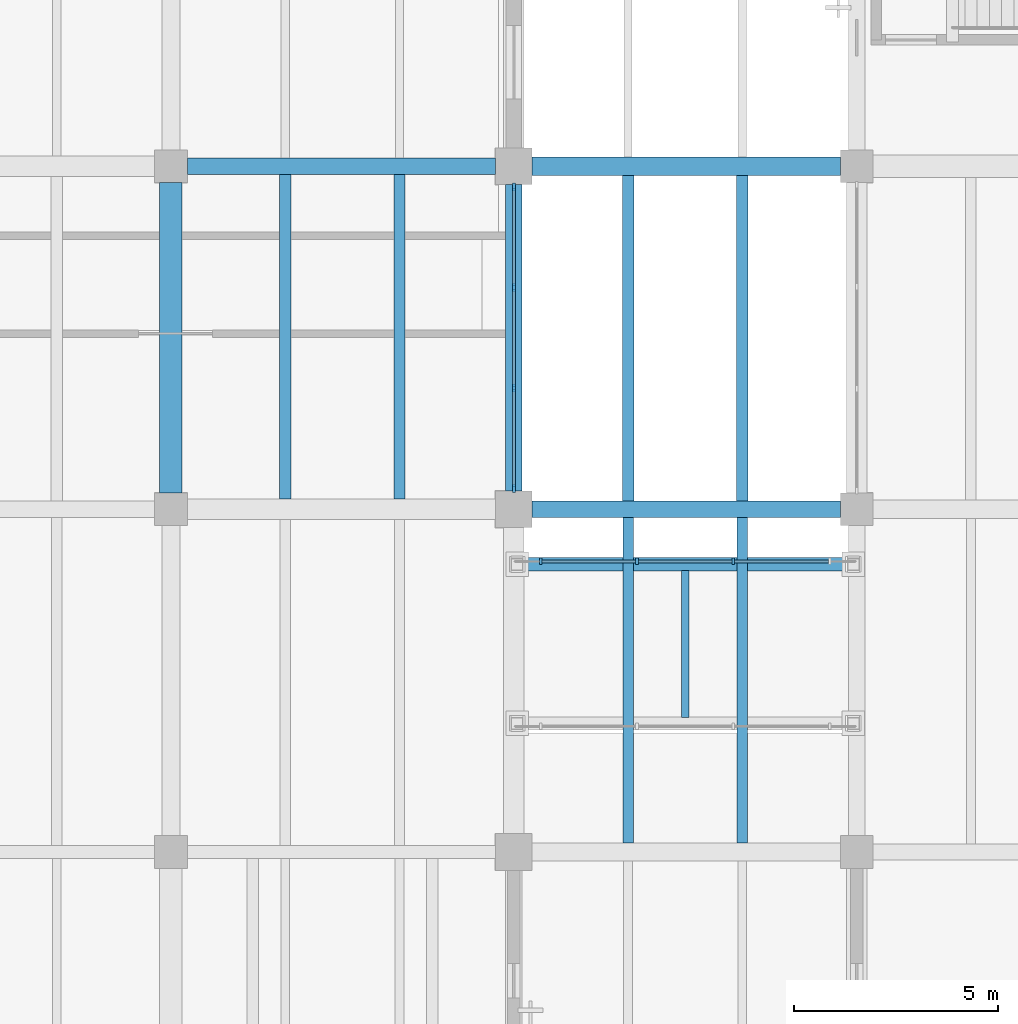
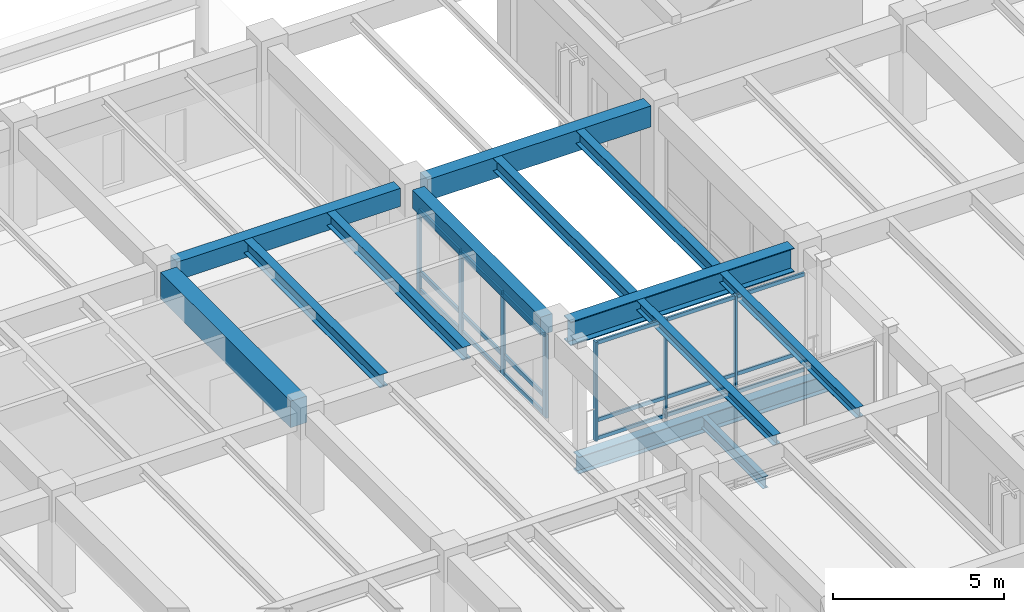
# One storey, part 47 of 135: 25 members, 13 beams, 2 elements without a shape of their own.
"""IFC4 building model written with IfcOpenShell, lengths in metres."""

from ifc_helpers import new_model, si_unit, direction, frame, origin, origin_2d, place, context, subcontext, project, spatial, rectangle, i_section, extrude, material, material_profile, profile_set, type_object, element, aggregate, save


model = new_model("IFC4")

# Units and contexts
model_context = context("Model", 3, precision=1e-05, world=origin(), true_north=direction((0.0, 1.0)))
body_context = subcontext(model_context, "Body", "Model", "MODEL_VIEW")
ifc_project = project(units=[si_unit("LENGTHUNIT", "METRE"), si_unit("AREAUNIT", "SQUARE_METRE"), si_unit("VOLUMEUNIT", "CUBIC_METRE"), si_unit("PLANEANGLEUNIT", "RADIAN"), si_unit("MASSUNIT", "GRAM", prefix="KILO")], contexts=[model_context])

# Site, building, storey
site_placement = place(None, origin())
site = spatial("IfcSite", under=ifc_project, at=site_placement, CompositionType="ELEMENT")
building_placement = place(site_placement, origin())
building = spatial("IfcBuilding", under=site, at=building_placement, Name="Cumbredor Promenade Congress Hotel", CompositionType="ELEMENT")
storey_placement = place(building_placement, origin())
storey = spatial("IfcBuildingStorey", under=building, at=storey_placement, Name="L00", CompositionType="ELEMENT", Elevation=0.0)

# Beams
ifc_material_1 = material(Name="Concrete C40/50", Category="concrete")
ifc_material_profile_1 = material_profile(ifc_material_1, rectangle(XDim=0.39990234375, YDim=0.64990234375, at=origin_2d()), Name="RC BEAM 400x650")
ifc_profile_set_1 = profile_set([ifc_material_profile_1], Name="Concrete C40/50")
beam_type_1 = type_object("IfcBeamType", Name="BM-RC-400x650", PredefinedType="BEAM", material=ifc_profile_set_1)
beam_1_placement = place(storey_placement, frame((76.0, 109.199951171875, 3.31494140625), z_axis=(1.0, 0.0, 0.0), x_axis=(0.0, 1.0, 0.0)))
element("IfcBeam", 1, at=beam_1_placement, inside=storey, type_object=beam_type_1, Name="L01 X-Grid Beam 146", PredefinedType="BEAM", context=body_context, shape_type="SweptSolid", body=[
    extrude(rectangle(XDim=0.39990234375, YDim=0.64990234375, at=origin_2d()), origin(), (0.0, 0.0, 1.0), 7.550048828125),
])
beam_2_placement = place(storey_placement, frame((84.0, 101.25, 3.31494140625), z_axis=(0.0, 1.0, 0.0), x_axis=(-1.0, 0.0, 0.0)))
element("IfcBeam", 2, at=beam_2_placement, inside=storey, type_object=beam_type_1, Name="L01 Y-Grid Beam 158", PredefinedType="BEAM", context=body_context, shape_type="SweptSolid", body=[
    extrude(rectangle(XDim=0.39990234375, YDim=0.64990234375, at=origin_2d()), origin(), (0.0, 0.0, 1.0), 7.5),
])
ifc_material_profile_2 = material_profile(ifc_material_1, rectangle(XDim=0.449951171875, YDim=0.75, at=origin_2d()), Name="RC BEAM 450x750")
ifc_profile_set_2 = profile_set([ifc_material_profile_2], Name="Concrete C40/50")
beam_type_2 = type_object("IfcBeamType", Name="BM-RC-450x750", PredefinedType="BEAM", material=ifc_profile_set_2)
beam_3_placement = place(storey_placement, frame((84.449951171875, 109.199951171875, 3.264892578125), z_axis=(1.0, 0.0, 0.0), x_axis=(0.0, 1.0, 0.0)))
element("IfcBeam", 3, at=beam_3_placement, inside=storey, type_object=beam_type_2, Name="L01 X-Grid Beam 159", PredefinedType="BEAM", context=body_context, shape_type="SweptSolid", body=[
    extrude(rectangle(XDim=0.449951171875, YDim=0.75, at=origin_2d()), origin(), (0.0, 0.0, 1.0), 7.550048828125),
])
ifc_material_profile_3 = material_profile(ifc_material_1, rectangle(XDim=0.550048828125, YDim=0.949951171875, at=origin_2d()), Name="RC BEAM 550x950")
ifc_profile_set_3 = profile_set([ifc_material_profile_3], Name="Concrete C40/50")
beam_type_3 = type_object("IfcBeamType", Name="BM-RC-550x950", PredefinedType="BEAM", material=ifc_profile_set_3)
beam_4_placement = place(storey_placement, frame((75.60009765625, 101.199951171875, 3.1650390625), z_axis=(0.0, 1.0, 0.0), x_axis=(-1.0, 0.0, 0.0)))
element("IfcBeam", 4, at=beam_4_placement, inside=storey, type_object=beam_type_3, Name="L01 Y-Grid Beam 145", PredefinedType="BEAM", context=body_context, shape_type="SweptSolid", body=[
    extrude(rectangle(XDim=0.550048828125, YDim=0.949951171875, at=origin_2d()), origin(), (0.0, 0.0, 1.0), 7.60009765625),
])
ifc_material_2 = material(Name="Steel ASTM A992 Grade 50", Category="steel")
ifc_material_profile_4 = material_profile(ifc_material_2, i_section(OverallWidth=0.323974609375, OverallDepth=0.611083984375, WebThickness=0.0126953125, FlangeThickness=0.01904296875, at=origin_2d()), Name="W24X104")
ifc_profile_set_4 = profile_set([ifc_material_profile_4], Name="Steel ASTM A992 Grade 50")
beam_type_4 = type_object("IfcBeamType", Name="BM-W24X104", PredefinedType="BEAM", material=ifc_profile_set_4)
beam_5_placement = place(storey_placement, frame((83.9599609375, 99.449951171875, -0.525390625), z_axis=(1.0, 0.0, 0.0), x_axis=(0.0, 1.0, 0.0)))
element("IfcBeam", 5, at=beam_5_placement, inside=storey, type_object=beam_type_4, Name="L00 North Hotel-to-Forum Glazed Bridge Edge Girder 2", PredefinedType="BEAM", context=body_context, shape_type="SweptSolid", body=[
    extrude(i_section(OverallWidth=0.323974609375, OverallDepth=0.611083984375, WebThickness=0.0126953125, FlangeThickness=0.01904296875, at=origin_2d()), origin(), (0.0, 0.0, 1.0), 8.47998046875),
])
ifc_material_profile_5 = material_profile(ifc_material_2, i_section(OverallWidth=0.39990234375, OverallDepth=0.85498046875, WebThickness=0.018310546875, FlangeThickness=0.029296875, at=origin_2d()), Name="W33X201")
ifc_profile_set_5 = profile_set([ifc_material_profile_5], Name="Steel ASTM A992 Grade 50")
beam_type_5 = type_object("IfcBeamType", Name="BM-W33X201", PredefinedType="BEAM", material=ifc_profile_set_5)
beam_6_placement = place(storey_placement, frame((84.449951171875, 100.800048828125, 3.21240234375), z_axis=(1.0, 0.0, 0.0), x_axis=(0.0, 1.0, 0.0)))
element("IfcBeam", 6, at=beam_6_placement, inside=storey, type_object=beam_type_5, Name="L01 X-Grid Beam 157", PredefinedType="BEAM", context=body_context, shape_type="SweptSolid", body=[
    extrude(i_section(OverallWidth=0.39990234375, OverallDepth=0.85498046875, WebThickness=0.018310546875, FlangeThickness=0.029296875, at=origin_2d()), origin(), (0.0, 0.0, 1.0), 7.550048828125),
])

# Curtain wall, members
ifc_material_3 = material(Name="Thermally broken anodized aluminium and low-E glass", Category="aluminium")
curtain_wall_type_1 = type_object("IfcCurtainWallType", Name="Unitised Bridge Glazing Screen CW-05", PredefinedType="NOTDEFINED", material=ifc_material_3)
curtain_wall_1_placement = place(storey_placement, origin())
curtain_wall_1 = element("IfcCurtainWall", 7, at=curtain_wall_1_placement, inside=storey, type_object=curtain_wall_type_1, Name="L00 North Hotel-to-Forum Glazed Bridge North Glazing Screen", PredefinedType="NOTDEFINED")
ifc_material_4 = material(Name="Thermally broken anodized aluminium", Category="aluminium")
ifc_material_profile_6 = material_profile(ifc_material_4, rectangle(XDim=0.06494140625, YDim=0.159912109375, at=origin_2d()), Name="ALU MULLION 65x160")
ifc_profile_set_6 = profile_set([ifc_material_profile_6], Name="Thermally broken anodized aluminium")
member_type_1 = type_object("IfcMemberType", Name="Curtain Wall Mullion ML-01", PredefinedType="MULLION", material=ifc_profile_set_6)
member_1_placement = place(storey_placement, frame((84.659912109375, 99.52001953125, -0.008056640625), z_axis=(0.0, 0.0, 1.0), x_axis=(1.0, 0.0, 0.0)))
member_1 = element("IfcMember", 8, at=member_1_placement, type_object=member_type_1, Name="L00 North Hotel-to-Forum Glazed Bridge North Glazing Screen Mullion 1", PredefinedType="MULLION", context=body_context, shape_type="SweptSolid", body=[
    extrude(rectangle(XDim=0.06494140625, YDim=0.159912109375, at=origin_2d()), origin(), (0.0, 0.0, 1.0), 3.55615234375),
])
member_2_placement = place(storey_placement, frame((87.02001953125, 99.52001953125, -0.008056640625), z_axis=(0.0, 0.0, 1.0), x_axis=(1.0, 0.0, 0.0)))
member_2 = element("IfcMember", 9, at=member_2_placement, type_object=member_type_1, Name="L00 North Hotel-to-Forum Glazed Bridge North Glazing Screen Mullion 2", PredefinedType="MULLION", context=body_context, shape_type="SweptSolid", body=[
    extrude(rectangle(XDim=0.06494140625, YDim=0.159912109375, at=origin_2d()), origin(), (0.0, 0.0, 1.0), 3.55615234375),
])
member_3_placement = place(storey_placement, frame((89.3798828125, 99.52001953125, -0.008056640625), z_axis=(0.0, 0.0, 1.0), x_axis=(1.0, 0.0, 0.0)))
member_3 = element("IfcMember", 10, at=member_3_placement, type_object=member_type_1, Name="L00 North Hotel-to-Forum Glazed Bridge North Glazing Screen Mullion 3", PredefinedType="MULLION", context=body_context, shape_type="SweptSolid", body=[
    extrude(rectangle(XDim=0.06494140625, YDim=0.159912109375, at=origin_2d()), origin(), (0.0, 0.0, 1.0), 3.55615234375),
])

curtain_wall_type_2 = type_object("IfcCurtainWallType", Name="Unitised Grand Foyer Curtain Wall CW-04", PredefinedType="NOTDEFINED", material=ifc_material_3)
curtain_wall_2_placement = place(storey_placement, origin())
curtain_wall_2 = element("IfcCurtainWall", 11, at=curtain_wall_2_placement, inside=storey, type_object=curtain_wall_type_2, Name="L00 Stepped Congress Hotel Wing East Curtain Wall 3", PredefinedType="NOTDEFINED")
ifc_material_profile_7 = material_profile(ifc_material_4, rectangle(XDim=0.074951171875, YDim=0.199951171875, at=origin_2d()), Name="ALU MULLION 75x200")
ifc_profile_set_7 = profile_set([ifc_material_profile_7], Name="Thermally broken anodized aluminium")
member_type_2 = type_object("IfcMemberType", Name="Curtain Wall Mullion ML-02", PredefinedType="MULLION", material=ifc_profile_set_7)
member_4_placement = place(storey_placement, frame((84.0, 101.304931640625, -0.008056640625), z_axis=(0.0, 0.0, 1.0), x_axis=(1.0, 0.0, 0.0)))
member_4 = element("IfcMember", 12, at=member_4_placement, type_object=member_type_2, Name="L00 Stepped Congress Hotel Wing East Curtain Wall 3 Mullion 1", PredefinedType="MULLION", context=body_context, shape_type="SweptSolid", body=[
    extrude(rectangle(XDim=0.074951171875, YDim=0.199951171875, at=origin_2d()), origin(), (0.0, 0.0, 1.0), 2.990966796875),
])
member_5_placement = place(storey_placement, frame((84.0, 103.768310546875, -0.008056640625), z_axis=(0.0, 0.0, 1.0), x_axis=(1.0, 0.0, 0.0)))
member_5 = element("IfcMember", 13, at=member_5_placement, type_object=member_type_2, Name="L00 Stepped Congress Hotel Wing East Curtain Wall 3 Mullion 2", PredefinedType="MULLION", context=body_context, shape_type="SweptSolid", body=[
    extrude(rectangle(XDim=0.074951171875, YDim=0.199951171875, at=origin_2d()), origin(), (0.0, 0.0, 1.0), 2.990966796875),
])
member_6_placement = place(storey_placement, frame((84.0, 106.231689453125, -0.008056640625), z_axis=(0.0, 0.0, 1.0), x_axis=(1.0, 0.0, 0.0)))
member_6 = element("IfcMember", 14, at=member_6_placement, type_object=member_type_2, Name="L00 Stepped Congress Hotel Wing East Curtain Wall 3 Mullion 3", PredefinedType="MULLION", context=body_context, shape_type="SweptSolid", body=[
    extrude(rectangle(XDim=0.074951171875, YDim=0.199951171875, at=origin_2d()), origin(), (0.0, 0.0, 1.0), 2.990966796875),
])
member_7_placement = place(storey_placement, frame((84.0, 108.695068359375, -0.008056640625), z_axis=(0.0, 0.0, 1.0), x_axis=(1.0, 0.0, 0.0)))
member_7 = element("IfcMember", 15, at=member_7_placement, type_object=member_type_2, Name="L00 Stepped Congress Hotel Wing East Curtain Wall 3 Mullion 4", PredefinedType="MULLION", context=body_context, shape_type="SweptSolid", body=[
    extrude(rectangle(XDim=0.074951171875, YDim=0.199951171875, at=origin_2d()), origin(), (0.0, 0.0, 1.0), 2.990966796875),
])

# Member
ifc_material_profile_8 = material_profile(ifc_material_4, rectangle(XDim=0.06494140625, YDim=0.1298828125, at=origin_2d()), Name="ALU TRANSOM 65x130")
ifc_profile_set_8 = profile_set([ifc_material_profile_8], Name="Thermally broken anodized aluminium")
member_type_3 = type_object("IfcMemberType", Name="Curtain Wall Transom TR-01", PredefinedType="USERDEFINED", material=ifc_profile_set_8)
member_8_placement = place(storey_placement, frame((84.6923828125, 99.52001953125, 0.070068359375), z_axis=(1.0, 0.0, 0.0), x_axis=(0.0, 1.0, 0.0)))
member_8 = element("IfcMember", 16, at=member_8_placement, type_object=member_type_3, Name="L00 North Hotel-to-Forum Glazed Bridge North Glazing Screen Transom 1.1", ObjectType="TRANSOM", PredefinedType="USERDEFINED", context=body_context, shape_type="SweptSolid", body=[
    extrude(rectangle(XDim=0.06494140625, YDim=0.1298828125, at=origin_2d()), origin(), (0.0, 0.0, 1.0), 2.295166015625),
])

member_9_placement = place(storey_placement, frame((84.6923828125, 99.52001953125, 0.719970703125), z_axis=(1.0, 0.0, 0.0), x_axis=(0.0, 1.0, 0.0)))
member_9 = element("IfcMember", 17, at=member_9_placement, type_object=member_type_3, Name="L00 North Hotel-to-Forum Glazed Bridge North Glazing Screen Transom 1.2", ObjectType="TRANSOM", PredefinedType="USERDEFINED", context=body_context, shape_type="SweptSolid", body=[
    extrude(rectangle(XDim=0.06494140625, YDim=0.1298828125, at=origin_2d()), origin(), (0.0, 0.0, 1.0), 2.295166015625),
])

member_10_placement = place(storey_placement, frame((84.6923828125, 99.52001953125, 3.47998046875), z_axis=(1.0, 0.0, 0.0), x_axis=(0.0, 1.0, 0.0)))
member_10 = element("IfcMember", 18, at=member_10_placement, type_object=member_type_3, Name="L00 North Hotel-to-Forum Glazed Bridge North Glazing Screen Transom 1.3", ObjectType="TRANSOM", PredefinedType="USERDEFINED", context=body_context, shape_type="SweptSolid", body=[
    extrude(rectangle(XDim=0.06494140625, YDim=0.1298828125, at=origin_2d()), origin(), (0.0, 0.0, 1.0), 2.295166015625),
])

member_11_placement = place(storey_placement, frame((87.052490234375, 99.52001953125, 0.070068359375), z_axis=(1.0, 0.0, 0.0), x_axis=(0.0, 1.0, 0.0)))
member_11 = element("IfcMember", 19, at=member_11_placement, type_object=member_type_3, Name="L00 North Hotel-to-Forum Glazed Bridge North Glazing Screen Transom 2.1", ObjectType="TRANSOM", PredefinedType="USERDEFINED", context=body_context, shape_type="SweptSolid", body=[
    extrude(rectangle(XDim=0.06494140625, YDim=0.1298828125, at=origin_2d()), origin(), (0.0, 0.0, 1.0), 2.294921875),
])

member_12_placement = place(storey_placement, frame((87.052490234375, 99.52001953125, 0.719970703125), z_axis=(1.0, 0.0, 0.0), x_axis=(0.0, 1.0, 0.0)))
member_12 = element("IfcMember", 20, at=member_12_placement, type_object=member_type_3, Name="L00 North Hotel-to-Forum Glazed Bridge North Glazing Screen Transom 2.2", ObjectType="TRANSOM", PredefinedType="USERDEFINED", context=body_context, shape_type="SweptSolid", body=[
    extrude(rectangle(XDim=0.06494140625, YDim=0.1298828125, at=origin_2d()), origin(), (0.0, 0.0, 1.0), 2.294921875),
])

member_13_placement = place(storey_placement, frame((87.052490234375, 99.52001953125, 3.47998046875), z_axis=(1.0, 0.0, 0.0), x_axis=(0.0, 1.0, 0.0)))
member_13 = element("IfcMember", 21, at=member_13_placement, type_object=member_type_3, Name="L00 North Hotel-to-Forum Glazed Bridge North Glazing Screen Transom 2.3", ObjectType="TRANSOM", PredefinedType="USERDEFINED", context=body_context, shape_type="SweptSolid", body=[
    extrude(rectangle(XDim=0.06494140625, YDim=0.1298828125, at=origin_2d()), origin(), (0.0, 0.0, 1.0), 2.294921875),
])

member_14_placement = place(storey_placement, frame((89.41259765625, 99.52001953125, 0.070068359375), z_axis=(1.0, 0.0, 0.0), x_axis=(0.0, 1.0, 0.0)))
member_14 = element("IfcMember", 22, at=member_14_placement, type_object=member_type_3, Name="L00 North Hotel-to-Forum Glazed Bridge North Glazing Screen Transom 3.1", ObjectType="TRANSOM", PredefinedType="USERDEFINED", context=body_context, shape_type="SweptSolid", body=[
    extrude(rectangle(XDim=0.06494140625, YDim=0.1298828125, at=origin_2d()), origin(), (0.0, 0.0, 1.0), 2.294921875),
])

member_15_placement = place(storey_placement, frame((89.41259765625, 99.52001953125, 0.719970703125), z_axis=(1.0, 0.0, 0.0), x_axis=(0.0, 1.0, 0.0)))
member_15 = element("IfcMember", 23, at=member_15_placement, type_object=member_type_3, Name="L00 North Hotel-to-Forum Glazed Bridge North Glazing Screen Transom 3.2", ObjectType="TRANSOM", PredefinedType="USERDEFINED", context=body_context, shape_type="SweptSolid", body=[
    extrude(rectangle(XDim=0.06494140625, YDim=0.1298828125, at=origin_2d()), origin(), (0.0, 0.0, 1.0), 2.294921875),
])

member_16_placement = place(storey_placement, frame((89.41259765625, 99.52001953125, 3.47998046875), z_axis=(1.0, 0.0, 0.0), x_axis=(0.0, 1.0, 0.0)))
member_16 = element("IfcMember", 24, at=member_16_placement, type_object=member_type_3, Name="L00 North Hotel-to-Forum Glazed Bridge North Glazing Screen Transom 3.3", ObjectType="TRANSOM", PredefinedType="USERDEFINED", context=body_context, shape_type="SweptSolid", body=[
    extrude(rectangle(XDim=0.06494140625, YDim=0.1298828125, at=origin_2d()), origin(), (0.0, 0.0, 1.0), 2.294921875),
])

aggregate(curtain_wall_1, [member_1, member_2, member_3, member_8, member_9, member_10, member_11, member_12, member_13, member_14, member_15, member_16])

ifc_material_profile_9 = material_profile(ifc_material_4, rectangle(XDim=0.074951171875, YDim=0.14990234375, at=origin_2d()), Name="ALU TRANSOM 75x150")
ifc_profile_set_9 = profile_set([ifc_material_profile_9], Name="Thermally broken anodized aluminium")
member_type_4 = type_object("IfcMemberType", Name="Curtain Wall Transom TR-02", PredefinedType="USERDEFINED", material=ifc_profile_set_9)
member_17_placement = place(storey_placement, frame((84.0, 101.342529296875, 0.070068359375), z_axis=(0.0, 1.0, 0.0), x_axis=(-1.0, 0.0, 0.0)))
member_17 = element("IfcMember", 25, at=member_17_placement, type_object=member_type_4, Name="L00 Stepped Congress Hotel Wing East Curtain Wall 3 Transom 1.1", ObjectType="TRANSOM", PredefinedType="USERDEFINED", context=body_context, shape_type="SweptSolid", body=[
    extrude(rectangle(XDim=0.074951171875, YDim=0.14990234375, at=origin_2d()), origin(), (0.0, 0.0, 1.0), 2.38818359375),
])

member_18_placement = place(storey_placement, frame((84.0, 101.342529296875, 0.719970703125), z_axis=(0.0, 1.0, 0.0), x_axis=(-1.0, 0.0, 0.0)))
member_18 = element("IfcMember", 26, at=member_18_placement, type_object=member_type_4, Name="L00 Stepped Congress Hotel Wing East Curtain Wall 3 Transom 1.2", ObjectType="TRANSOM", PredefinedType="USERDEFINED", context=body_context, shape_type="SweptSolid", body=[
    extrude(rectangle(XDim=0.074951171875, YDim=0.14990234375, at=origin_2d()), origin(), (0.0, 0.0, 1.0), 2.38818359375),
])

member_19_placement = place(storey_placement, frame((84.0, 101.342529296875, 2.89990234375), z_axis=(0.0, 1.0, 0.0), x_axis=(-1.0, 0.0, 0.0)))
member_19 = element("IfcMember", 27, at=member_19_placement, type_object=member_type_4, Name="L00 Stepped Congress Hotel Wing East Curtain Wall 3 Transom 1.3", ObjectType="TRANSOM", PredefinedType="USERDEFINED", context=body_context, shape_type="SweptSolid", body=[
    extrude(rectangle(XDim=0.074951171875, YDim=0.14990234375, at=origin_2d()), origin(), (0.0, 0.0, 1.0), 2.38818359375),
])

member_20_placement = place(storey_placement, frame((84.0, 103.805908203125, 0.070068359375), z_axis=(0.0, 1.0, 0.0), x_axis=(-1.0, 0.0, 0.0)))
member_20 = element("IfcMember", 28, at=member_20_placement, type_object=member_type_4, Name="L00 Stepped Congress Hotel Wing East Curtain Wall 3 Transom 2.1", ObjectType="TRANSOM", PredefinedType="USERDEFINED", context=body_context, shape_type="SweptSolid", body=[
    extrude(rectangle(XDim=0.074951171875, YDim=0.14990234375, at=origin_2d()), origin(), (0.0, 0.0, 1.0), 2.38818359375),
])

member_21_placement = place(storey_placement, frame((84.0, 103.805908203125, 0.719970703125), z_axis=(0.0, 1.0, 0.0), x_axis=(-1.0, 0.0, 0.0)))
member_21 = element("IfcMember", 29, at=member_21_placement, type_object=member_type_4, Name="L00 Stepped Congress Hotel Wing East Curtain Wall 3 Transom 2.2", ObjectType="TRANSOM", PredefinedType="USERDEFINED", context=body_context, shape_type="SweptSolid", body=[
    extrude(rectangle(XDim=0.074951171875, YDim=0.14990234375, at=origin_2d()), origin(), (0.0, 0.0, 1.0), 2.38818359375),
])

member_22_placement = place(storey_placement, frame((84.0, 103.805908203125, 2.89990234375), z_axis=(0.0, 1.0, 0.0), x_axis=(-1.0, 0.0, 0.0)))
member_22 = element("IfcMember", 30, at=member_22_placement, type_object=member_type_4, Name="L00 Stepped Congress Hotel Wing East Curtain Wall 3 Transom 2.3", ObjectType="TRANSOM", PredefinedType="USERDEFINED", context=body_context, shape_type="SweptSolid", body=[
    extrude(rectangle(XDim=0.074951171875, YDim=0.14990234375, at=origin_2d()), origin(), (0.0, 0.0, 1.0), 2.38818359375),
])

member_23_placement = place(storey_placement, frame((84.0, 106.269287109375, 0.070068359375), z_axis=(0.0, 1.0, 0.0), x_axis=(-1.0, 0.0, 0.0)))
member_23 = element("IfcMember", 31, at=member_23_placement, type_object=member_type_4, Name="L00 Stepped Congress Hotel Wing East Curtain Wall 3 Transom 3.1", ObjectType="TRANSOM", PredefinedType="USERDEFINED", context=body_context, shape_type="SweptSolid", body=[
    extrude(rectangle(XDim=0.074951171875, YDim=0.14990234375, at=origin_2d()), origin(), (0.0, 0.0, 1.0), 2.38818359375),
])

member_24_placement = place(storey_placement, frame((84.0, 106.269287109375, 0.719970703125), z_axis=(0.0, 1.0, 0.0), x_axis=(-1.0, 0.0, 0.0)))
member_24 = element("IfcMember", 32, at=member_24_placement, type_object=member_type_4, Name="L00 Stepped Congress Hotel Wing East Curtain Wall 3 Transom 3.2", ObjectType="TRANSOM", PredefinedType="USERDEFINED", context=body_context, shape_type="SweptSolid", body=[
    extrude(rectangle(XDim=0.074951171875, YDim=0.14990234375, at=origin_2d()), origin(), (0.0, 0.0, 1.0), 2.38818359375),
])

member_25_placement = place(storey_placement, frame((84.0, 106.269287109375, 2.89990234375), z_axis=(0.0, 1.0, 0.0), x_axis=(-1.0, 0.0, 0.0)))
member_25 = element("IfcMember", 33, at=member_25_placement, type_object=member_type_4, Name="L00 Stepped Congress Hotel Wing East Curtain Wall 3 Transom 3.3", ObjectType="TRANSOM", PredefinedType="USERDEFINED", context=body_context, shape_type="SweptSolid", body=[
    extrude(rectangle(XDim=0.074951171875, YDim=0.14990234375, at=origin_2d()), origin(), (0.0, 0.0, 1.0), 2.38818359375),
])

aggregate(curtain_wall_2, [member_4, member_5, member_6, member_7, member_17, member_18, member_19, member_20, member_21, member_22, member_23, member_24, member_25])

# Beams
ifc_material_profile_10 = material_profile(ifc_material_2, i_section(OverallWidth=0.2548828125, OverallDepth=0.35693359375, WebThickness=0.010498046875, FlangeThickness=0.018310546875, at=origin_2d()), Name="W14X68")
ifc_profile_set_10 = profile_set([ifc_material_profile_10], Name="Steel ASTM A992 Grade 50")
beam_type_6 = type_object("IfcBeamType", Name="JST-W14X68", PredefinedType="JOIST", material=ifc_profile_set_10)
for number, where, z_axis, x_axis, name in (
    (34, (86.800048828125, 92.625, 3.46142578125), (0.0, 1.0, 0.0), (-1.0, 0.0, 0.0), "L01 Secondary Floor Joist 0094"),
    (35, (89.60009765625, 92.625, 3.46142578125), (0.0, 1.0, 0.0), (-1.0, 0.0, 0.0), "L01 Secondary Floor Joist 0095"),
):
    element("IfcBeam", number, at=place(storey_placement, frame(where, z_axis=z_axis, x_axis=x_axis)), inside=storey, type_object=beam_type_6, Name=name, PredefinedType="JOIST", context=body_context, shape_type="SweptSolid", body=[
        extrude(i_section(OverallWidth=0.2548828125, OverallDepth=0.35693359375, WebThickness=0.010498046875, FlangeThickness=0.018310546875, at=origin_2d()), origin(), (0.0, 0.0, 1.0), 7.97509765625),
    ])
ifc_material_profile_11 = material_profile(ifc_material_2, i_section(OverallWidth=0.180908203125, OverallDepth=0.4169921875, WebThickness=0.010986328125, FlangeThickness=0.018310546875, at=origin_2d()), Name="W16X57")
ifc_profile_set_11 = profile_set([ifc_material_profile_11], Name="Steel ASTM A992 Grade 50")
beam_type_7 = type_object("IfcBeamType", Name="JST-W16X57", PredefinedType="JOIST", material=ifc_profile_set_11)
beam_7_placement = place(storey_placement, frame((88.199951171875, 95.699951171875, -0.428466796875), z_axis=(0.0, 1.0, 0.0), x_axis=(-1.0, 0.0, 0.0)))
element("IfcBeam", 36, at=beam_7_placement, inside=storey, type_object=beam_type_7, Name="L00 North Hotel-to-Forum Glazed Bridge Cross Beam", PredefinedType="JOIST", context=body_context, shape_type="SweptSolid", body=[
    extrude(i_section(OverallWidth=0.180908203125, OverallDepth=0.4169921875, WebThickness=0.010986328125, FlangeThickness=0.018310546875, at=origin_2d()), origin(), (0.0, 0.0, 1.0), 3.60009765625),
])
ifc_material_profile_12 = material_profile(ifc_material_2, i_section(OverallWidth=0.280029296875, OverallDepth=0.462890625, WebThickness=0.0107421875, FlangeThickness=0.017333984375, at=origin_2d()), Name="W18X76")
ifc_profile_set_12 = profile_set([ifc_material_profile_12], Name="Steel ASTM A992 Grade 50")
beam_type_8 = type_object("IfcBeamType", Name="JST-W18X76", PredefinedType="JOIST", material=ifc_profile_set_12)
for number, where, z_axis, x_axis, name in (
    (37, (78.39990234375, 101.050048828125, 3.408447265625), (0.0, 1.0, 0.0), (-1.0, 0.0, 0.0), "L01 Secondary Floor Joist 0086"),
    (38, (81.199951171875, 101.050048828125, 3.408447265625), (0.0, 1.0, 0.0), (-1.0, 0.0, 0.0), "L01 Secondary Floor Joist 0087"),
):
    element("IfcBeam", number, at=place(storey_placement, frame(where, z_axis=z_axis, x_axis=x_axis)), inside=storey, type_object=beam_type_8, Name=name, PredefinedType="JOIST", context=body_context, shape_type="SweptSolid", body=[
        extrude(i_section(OverallWidth=0.280029296875, OverallDepth=0.462890625, WebThickness=0.0107421875, FlangeThickness=0.017333984375, at=origin_2d()), origin(), (0.0, 0.0, 1.0), 7.949951171875),
    ])
for number, where, z_axis, x_axis, name in (
    (39, (86.800048828125, 101.0, 3.408447265625), (0.0, 1.0, 0.0), (-1.0, 0.0, 0.0), "L01 Secondary Floor Joist 0096"),
    (40, (89.60009765625, 101.0, 3.408447265625), (0.0, 1.0, 0.0), (-1.0, 0.0, 0.0), "L01 Secondary Floor Joist 0097"),
):
    element("IfcBeam", number, at=place(storey_placement, frame(where, z_axis=z_axis, x_axis=x_axis)), inside=storey, type_object=beam_type_8, Name=name, PredefinedType="JOIST", context=body_context, shape_type="SweptSolid", body=[
        extrude(i_section(OverallWidth=0.280029296875, OverallDepth=0.462890625, WebThickness=0.0107421875, FlangeThickness=0.017333984375, at=origin_2d()), origin(), (0.0, 0.0, 1.0), 7.97509765625),
    ])

save(model, "model.ifc")
